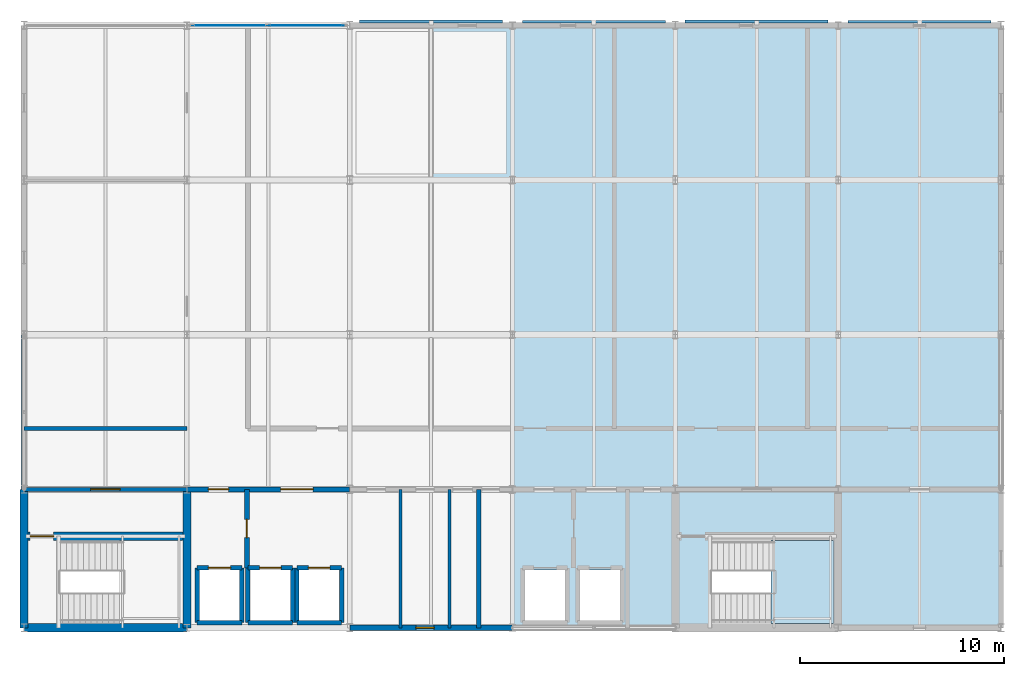
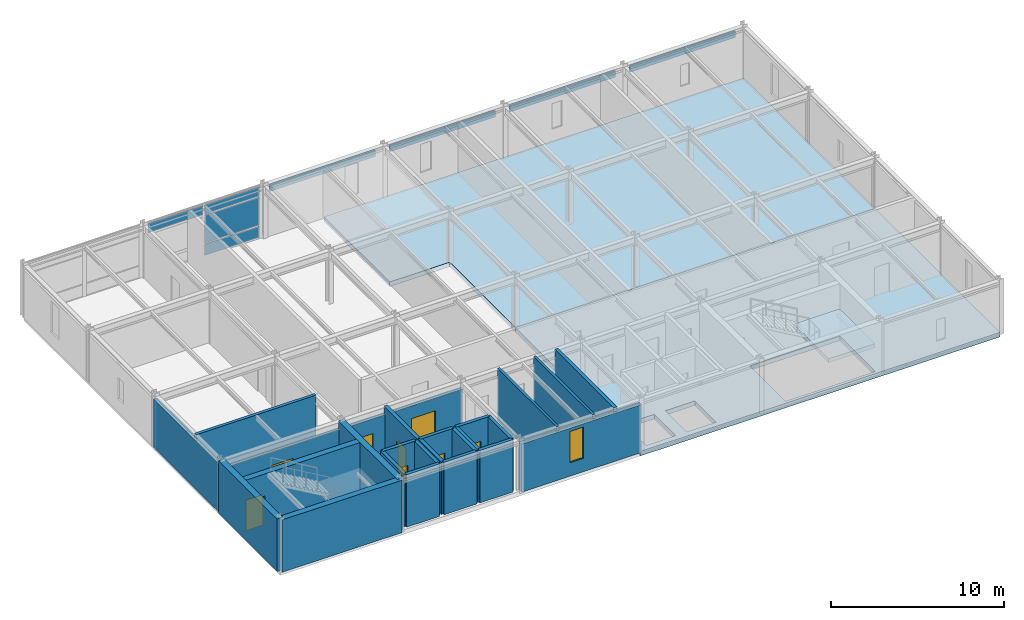
# One storey, part 6 of 9: 25 walls, 8 doors, 8 plates, 3 slabs, 1 window, 9 openings, 2 elements without a shape of their own.
"""IFC4 building model written with IfcOpenShell, lengths in metres."""

from ifc_helpers import new_model, si_unit, direction, frame, frame_2d, origin, origin_2d, place, context, subcontext, project, spatial, polyline, rectangle, outline, extrude, material, layer, layer_set, type_object, element, fill, aggregate, save


model = new_model("IFC4")

# Units and contexts
model_context = context("Model", 3, precision=1e-05, world=origin(), true_north=direction((0.0, 1.0)))
body_context = subcontext(model_context, "Body", "Model", "MODEL_VIEW")
ifc_project = project(units=[si_unit("LENGTHUNIT", "METRE"), si_unit("AREAUNIT", "SQUARE_METRE"), si_unit("VOLUMEUNIT", "CUBIC_METRE"), si_unit("PLANEANGLEUNIT", "RADIAN"), si_unit("MASSUNIT", "GRAM", prefix="KILO")], contexts=[model_context])

# Site, building, storey
site_placement = place(None, origin())
site = spatial("IfcSite", under=ifc_project, at=site_placement, CompositionType="ELEMENT")
building_placement = place(site_placement, origin())
building = spatial("IfcBuilding", under=site, at=building_placement, Name="Shalkamar Park Central Library", CompositionType="ELEMENT")
storey_placement = place(building_placement, frame((0.0, 0.0, 63.89990234375)))
storey = spatial("IfcBuildingStorey", under=building, at=storey_placement, Name="L16", CompositionType="ELEMENT", Elevation=63.89990234375)

# Plates
ifc_material_1 = material(Name="Anodized bronze architectural frieze plate", Category="aluminium")
ifc_layer_1 = layer(ifc_material_1, 0.110107421875)
ifc_layer_set_1 = layer_set([ifc_layer_1], Name="BronzeSpandrelFriezePlate_110")
plate_type_1 = type_object("IfcPlateType", Name="Bronze Spandrel Frieze Plate 110", PredefinedType="USERDEFINED", material=ifc_layer_set_1)
for number, where, z_axis, x_axis, name in (
    (1, (193.0, 278.179931640625, 2.93798828125), (0.0, 0.0, 1.0), (1.0, 0.0, 0.0), "Bronze Spandrel Frieze Plate L16-055"),
    (2, (209.0, 278.179931640625, 2.93798828125), (0.0, 0.0, 1.0), (1.0, 0.0, 0.0), "Bronze Spandrel Frieze Plate L16-057"),
):
    element("IfcPlate", number, at=place(storey_placement, frame(where, z_axis=z_axis, x_axis=x_axis)), inside=storey, type_object=plate_type_1, Name=name, ObjectType="CLADDING", PredefinedType="USERDEFINED", context=body_context, shape_type="SweptSolid", body=[
        extrude(rectangle(XDim=7.028076171875, YDim=0.110107421875, at=origin_2d()), origin(), (0.0, 0.0, 1.0), 0.449951171875),
    ])
ifc_material_2 = material(Name="Anodized bronze stepped frieze plate", Category="aluminium")
ifc_layer_2 = layer(ifc_material_2, 0.139892578125)
ifc_layer_set_2 = layer_set([ifc_layer_2], Name="PostmodernKeystoneFriezePlate_140")
plate_type_2 = type_object("IfcPlateType", Name="Postmodern Keystone Frieze Plate 140", PredefinedType="USERDEFINED", material=ifc_layer_set_2)
for number, where, z_axis, x_axis, name in (
    (3, (185.0, 278.195068359375, 2.93798828125), (0.0, 0.0, 1.0), (1.0, 0.0, 0.0), "Bronze Spandrel Frieze Plate L16-054"),
    (4, (201.0, 278.195068359375, 2.93798828125), (0.0, 0.0, 1.0), (1.0, 0.0, 0.0), "Bronze Spandrel Frieze Plate L16-056"),
):
    element("IfcPlate", number, at=place(storey_placement, frame(where, z_axis=z_axis, x_axis=x_axis)), inside=storey, type_object=plate_type_2, Name=name, ObjectType="CLADDING", PredefinedType="USERDEFINED", context=body_context, shape_type="SweptSolid", body=[
        extrude(rectangle(XDim=7.028076171875, YDim=0.139892578125, at=origin_2d()), origin(), (0.0, 0.0, 1.0), 0.449951171875),
    ])

# Curtain wall, plates
ifc_material_3 = material(Name="Thermally broken aluminium and triple low-e curtain wall", Category="aluminium")
ifc_layer_3 = layer(ifc_material_3, 0.280029296875)
ifc_layer_set_3 = layer_set([ifc_layer_3], Name="UnitisedCurtainWall_103")
curtain_wall_type = type_object("IfcCurtainWallType", Name="Unitised Curtain Wall 103", PredefinedType="USERDEFINED", material=ifc_layer_set_3)
curtain_wall_placement = place(storey_placement, origin())
curtain_wall = element("IfcCurtainWall", 5, at=curtain_wall_placement, inside=storey, type_object=curtain_wall_type, Name="Unitised Curtain Wall CW-L16-159", ObjectType="UNITISED CURTAIN WALL", PredefinedType="USERDEFINED")
ifc_material_4 = material(Name="Triple-glazed solar-control glass", Category="glass")
ifc_layer_4 = layer(ifc_material_4, 0.031982421875)
ifc_layer_set_4 = layer_set([ifc_layer_4], Name="SolarControlVisionPanel_32")
plate_type_3 = type_object("IfcPlateType", Name="Solar Control Vision Panel 32", PredefinedType="CURTAIN_PANEL", material=ifc_layer_set_4)
plate_1_placement = place(storey_placement, frame((175.109619140625, 278.0, 2.985107421875), z_axis=(0.0, 0.0, 1.0), x_axis=(1.0, 0.0, 0.0)))
plate_1 = element("IfcPlate", 6, at=plate_1_placement, type_object=plate_type_3, Name="CW-103 panel 1.3", PredefinedType="CURTAIN_PANEL", context=body_context, shape_type="SweptSolid", body=[
    extrude(rectangle(XDim=3.6708984375, YDim=0.031982421875, at=origin_2d()), origin(), (0.0, 0.0, 1.0), 0.64501953125),
])
plate_2_placement = place(storey_placement, frame((178.87060546875, 278.0, 0.070068359375), z_axis=(0.0, 0.0, 1.0), x_axis=(1.0, 0.0, 0.0)))
plate_2 = element("IfcPlate", 7, at=plate_2_placement, type_object=plate_type_3, Name="CW-103 panel 2.1", PredefinedType="CURTAIN_PANEL", context=body_context, shape_type="SweptSolid", body=[
    extrude(rectangle(XDim=3.6708984375, YDim=0.031982421875, at=origin_2d()), origin(), (0.0, 0.0, 1.0), 0.794921875),
])
plate_3_placement = place(storey_placement, frame((178.87060546875, 278.0, 0.93505859375), z_axis=(0.0, 0.0, 1.0), x_axis=(1.0, 0.0, 0.0)))
plate_3 = element("IfcPlate", 8, at=plate_3_placement, type_object=plate_type_3, Name="CW-103 panel 2.2", PredefinedType="CURTAIN_PANEL", context=body_context, shape_type="SweptSolid", body=[
    extrude(rectangle(XDim=3.6708984375, YDim=0.031982421875, at=origin_2d()), origin(), (0.0, 0.0, 1.0), 1.97998046875),
])
plate_4_placement = place(storey_placement, frame((178.87060546875, 278.0, 2.985107421875), z_axis=(0.0, 0.0, 1.0), x_axis=(1.0, 0.0, 0.0)))
plate_4 = element("IfcPlate", 9, at=plate_4_placement, type_object=plate_type_3, Name="CW-103 panel 2.3", PredefinedType="CURTAIN_PANEL", context=body_context, shape_type="SweptSolid", body=[
    extrude(rectangle(XDim=3.6708984375, YDim=0.031982421875, at=origin_2d()), origin(), (0.0, 0.0, 1.0), 0.64501953125),
])
aggregate(curtain_wall, [plate_1, plate_2, plate_3, plate_4])

# Stair, slab
ifc_material_5 = material(Name="Concrete C35/45", Category="concrete")
stair_type = type_object("IfcStairType", Name="Protected Dog Leg Stair 150x390", PredefinedType="TWO_STRAIGHT_RUN_STAIR", material=ifc_material_5)
stair_placement = place(storey_placement, origin())
stair = element("IfcStair", 10, at=stair_placement, inside=storey, type_object=stair_type, Name="Protected Core Stair ST-T2-L16", PredefinedType="TWO_STRAIGHT_RUN_STAIR")
ifc_layer_5 = layer(ifc_material_5, 0.280029296875)
ifc_layer_set_5 = layer_set([ifc_layer_5], Name="Concrete C35/45")
slab_type_1 = type_object("IfcSlabType", Name="Stair Landing Slab 160", PredefinedType="LANDING", material=ifc_layer_set_5)
slab_1_placement = place(storey_placement, frame((0.0, 0.0, 1.670166015625)))
slab_1 = element("IfcSlab", 11, at=slab_1_placement, type_object=slab_type_1, Name="ST-T2-L16 landing 1", PredefinedType="LANDING", context=body_context, shape_type="SweptSolid", body=[
    extrude(outline(polyline([(201.699951171875, 248.6201171875), (204.780029296875, 248.6201171875), (204.780029296875, 252.679931640625), (201.699951171875, 252.679931640625), (201.699951171875, 248.6201171875)])), origin(), (0.0, 0.0, 1.0), 0.280029296875),
])
aggregate(stair, [slab_1])

# Slabs
ifc_layer_6 = layer(ifc_material_5, 0.320068359375)
ifc_layer_set_6 = layer_set([ifc_layer_6], Name="Concrete C35/45")
slab_type_2 = type_object("IfcSlabType", Name="Suspended Floor Slab 320", PredefinedType="FLOOR", material=ifc_layer_set_6)
slab_2_placement = place(storey_placement, frame((0.0, 0.0, -0.31982421875)))
element("IfcSlab", 12, at=slab_2_placement, inside=storey, type_object=slab_type_2, Name="Level L16 Composite Floor Slab NE", PredefinedType="FLOOR", context=body_context, shape_type="SweptSolid", body=[
    extrude(outline(polyline([(189.010009765625, 262.800048828125), (213.0, 262.800048828125), (213.0, 278.0), (185.010009765625, 278.0), (185.010009765625, 270.409912109375), (189.010009765625, 270.409912109375), (189.010009765625, 262.800048828125)])), origin(), (0.0, 0.0, 1.0), 0.31982421875),
])
slab_3_placement = place(storey_placement, frame((0.0, 0.0, -0.31982421875)))
element("IfcSlab", 13, at=slab_3_placement, inside=storey, type_object=slab_type_2, Name="Level L16 Composite Floor Slab SE", PredefinedType="FLOOR", context=body_context, shape_type="SweptSolid", body=[
    extrude(outline(polyline([(189.0, 248.39990234375), (189.0, 262.800048828125), (213.0, 262.800048828125), (213.0, 248.39990234375), (189.0, 248.39990234375)]), holes=[polyline([(189.6201171875, 251.22998046875), (189.6201171875, 248.77001953125), (191.580078125, 248.77001953125), (191.580078125, 251.22998046875), (189.6201171875, 251.22998046875)]), polyline([(192.320068359375, 251.22998046875), (192.320068359375, 248.77001953125), (194.280029296875, 248.77001953125), (194.280029296875, 251.22998046875), (192.320068359375, 251.22998046875)]), polyline([(198.800048828125, 252.699951171875), (198.800048828125, 248.60009765625), (204.800048828125, 248.60009765625), (204.800048828125, 252.699951171875), (198.800048828125, 252.699951171875)])]), origin(), (0.0, 0.0, 1.0), 0.31982421875),
])

# Wall, opening, window
ifc_material_6 = material(Name="Terracotta insulated masonry", Category="masonry")
ifc_layer_7 = layer(ifc_material_6, 0.260009765625)
ifc_layer_set_7 = layer_set([ifc_layer_7], Name="ArchiveInsulatedFacadeWall_260")
wall_type_1 = type_object("IfcWallType", Name="Archive Insulated Facade Wall 260", PredefinedType="SOLIDWALL", material=ifc_layer_set_7)
wall_1_placement = place(storey_placement, frame((181.006103515625, 248.39990234375, 0.0), z_axis=(0.0, 0.0, 1.0), x_axis=(1.0, 0.0, 0.0)))
wall_1 = element("IfcWall", 14, at=wall_1_placement, inside=storey, type_object=wall_type_1, Name="Exterior Facade Wall WL-EXT-L16-272", PredefinedType="SOLIDWALL", context=body_context, shape_type="SweptSolid", body=[
    extrude(rectangle(XDim=7.98779296875, YDim=0.260009765625, at=frame_2d((3.993896484375, 0.0))), origin(), (0.0, 0.0, 1.0), 3.38818359375),
])
opening_1_placement = place(wall_1_placement, frame((3.243896484375, 0.0, 0.949951171875)))
opening_1 = element("IfcOpeningElement", 15, at=opening_1_placement, cuts=wall_1, Name="Opening WN-17", PredefinedType="OPENING", context=body_context, shape_type="SweptSolid", body=[
    extrude(rectangle(XDim=0.89990234375, YDim=2.199951171875, at=frame_2d((0.449951171875, 1.10009765625))), frame((0.0, 0.14501953125, 0.0), z_axis=(0.0, -1.0, 0.0), x_axis=(1.0, 0.0, 0.0)), (0.0, 0.0, 1.0), 0.289794921875),
])
ifc_material_7 = material(Name="Thermally broken aluminium and triple low-e glass", Category="glass")
window_type = type_object("IfcWindowType", Name="Archive Slit Window 900x2200", PartitioningType="SINGLE_PANEL", PredefinedType="WINDOW", material=ifc_material_7)
window_placement = place(opening_1_placement, origin())
window = element("IfcWindow", 16, at=window_placement, inside=storey, type_object=window_type, Name="Facade Window WN-L16-200", OverallHeight=2.199951171875, OverallWidth=0.89990234375, PartitioningType="SINGLE_PANEL", PredefinedType="WINDOW", context=body_context, shape_type="SweptSolid", body=[
    extrude(rectangle(XDim=0.89990234375, YDim=2.199951171875, at=frame_2d((0.449951171875, 1.10009765625))), frame((0.0, 0.030029296875, 0.0), z_axis=(0.0, -1.0, 0.0), x_axis=(1.0, 0.0, 0.0)), (0.0, 0.0, 1.0), 0.06005859375),
])
fill(opening_1, window)

# Wall
wall_2_placement = place(storey_placement, frame((165.0, 255.2060546875, 0.0), z_axis=(0.0, 0.0, 1.0), x_axis=(0.0, 1.0, 0.0)))
element("IfcWall", 17, at=wall_2_placement, inside=storey, type_object=wall_type_1, Name="Exterior Facade Wall WL-EXT-L16-279", PredefinedType="SOLIDWALL", context=body_context, shape_type="SweptSolid", body=[
    extrude(rectangle(XDim=7.587890625, YDim=0.260009765625, at=frame_2d((3.7939453125, 0.0))), origin(), (0.0, 0.0, 1.0), 3.427978515625),
])

# Wall, opening, door
ifc_material_8 = material(Name="Reinforced fire-compartment masonry wall", Category="masonry")
ifc_layer_8 = layer(ifc_material_8, 0.239990234375)
ifc_layer_set_8 = layer_set([ifc_layer_8], Name="CompartmentWall_240")
wall_type_2 = type_object("IfcWallType", Name="Compartment Wall 240", PredefinedType="PARTITIONING", material=ifc_layer_set_8)
wall_3_placement = place(storey_placement, frame((175.949951171875, 251.35009765625, 0.0), z_axis=(0.0, 0.0, 1.0), x_axis=(0.0, 1.0, 0.0)))
wall_3 = element("IfcWall", 18, at=wall_3_placement, inside=storey, type_object=wall_type_2, Name="Interior Partition WL-INT-L16-001", PredefinedType="PARTITIONING", context=body_context, shape_type="SweptSolid", body=[
    extrude(rectangle(XDim=3.849853515625, YDim=0.239990234375, at=frame_2d((1.9248046875, 0.0))), origin(), (0.0, 0.0, 1.0), 3.7001953125),
])
opening_2_placement = place(wall_3_placement, frame((1.47509765625, 0.0, 0.0)))
opening_2 = element("IfcOpeningElement", 19, at=opening_2_placement, cuts=wall_3, Name="Opening DR-L16-001", PredefinedType="OPENING", context=body_context, shape_type="SweptSolid", body=[
    extrude(rectangle(XDim=0.89990234375, YDim=2.10009765625, at=frame_2d((0.449951171875, 1.050048828125))), frame((0.0, 0.134765625, 0.0), z_axis=(0.0, -1.0, 0.0), x_axis=(1.0, 0.0, 0.0)), (0.0, 0.0, 1.0), 0.269775390625),
])
ifc_material_9 = material(Name="Steel S355", Category="steel")
door_type_1 = type_object("IfcDoorType", Name="Fire Door Single 900x2100", OperationType="NOTDEFINED", PredefinedType="DOOR", material=ifc_material_9)
door_1_placement = place(opening_2_placement, origin())
door_1 = element("IfcDoor", 20, at=door_1_placement, inside=storey, type_object=door_type_1, Name="Fire Lobby Interconnect Door", OperationType="SINGLE_SWING_LEFT", OverallHeight=2.10009765625, OverallWidth=0.89990234375, PredefinedType="DOOR", context=body_context, shape_type="SweptSolid", body=[
    extrude(rectangle(XDim=0.89990234375, YDim=2.10009765625, at=frame_2d((0.449951171875, 1.050048828125))), frame((0.0, 0.02490234375, 0.0), z_axis=(0.0, -1.0, 0.0), x_axis=(1.0, 0.0, 0.0)), (0.0, 0.0, 1.0), 0.050048828125),
])
fill(opening_2, door_1)

# Wall, openings, doors
wall_4_placement = place(storey_placement, frame((173.0, 255.199951171875, 0.0), z_axis=(0.0, 0.0, 1.0), x_axis=(1.0, 0.0, 0.0)))
wall_4 = element("IfcWall", 21, at=wall_4_placement, inside=storey, type_object=wall_type_2, Name="Interior Partition WL-INT-L16-007", PredefinedType="PARTITIONING", context=body_context, shape_type="SweptSolid", body=[
    extrude(rectangle(XDim=8.0, YDim=0.239990234375, at=frame_2d((4.0, 0.0))), origin(), (0.0, 0.0, 1.0), 3.148193359375),
])
opening_3_placement = place(wall_4_placement, frame((1.050048828125, 0.0, 0.0)))
opening_3 = element("IfcOpeningElement", 22, at=opening_3_placement, cuts=wall_4, Name="Opening DR-L16-003", PredefinedType="OPENING", context=body_context, shape_type="SweptSolid", body=[
    extrude(rectangle(XDim=1.0, YDim=2.10009765625, at=frame_2d((0.5, 1.050048828125))), frame((0.0, 0.134765625, 0.0), z_axis=(0.0, -1.0, 0.0), x_axis=(1.0, 0.0, 0.0)), (0.0, 0.0, 1.0), 0.269775390625),
])
opening_4_placement = place(wall_4_placement, frame((4.60009765625, 0.0, 0.0)))
opening_4 = element("IfcOpeningElement", 23, at=opening_4_placement, cuts=wall_4, Name="Opening DR-L16-004", PredefinedType="OPENING", context=body_context, shape_type="SweptSolid", body=[
    extrude(rectangle(XDim=1.60009765625, YDim=2.25, at=frame_2d((0.800048828125, 1.125))), frame((0.0, 0.134765625, 0.0), z_axis=(0.0, -1.0, 0.0), x_axis=(1.0, 0.0, 0.0)), (0.0, 0.0, 1.0), 0.269775390625),
])
door_type_2 = type_object("IfcDoorType", Name="Fire Door Single 1000x2100", OperationType="NOTDEFINED", PredefinedType="DOOR", material=ifc_material_9)
door_2_placement = place(opening_3_placement, origin())
door_2 = element("IfcDoor", 24, at=door_2_placement, inside=storey, type_object=door_type_2, Name="West Firefighting Lobby Door", OperationType="SINGLE_SWING_LEFT", OverallHeight=2.10009765625, OverallWidth=1.0, PredefinedType="DOOR", context=body_context, shape_type="SweptSolid", body=[
    extrude(rectangle(XDim=1.0, YDim=2.10009765625, at=frame_2d((0.5, 1.050048828125))), frame((0.0, 0.02490234375, 0.0), z_axis=(0.0, -1.0, 0.0), x_axis=(1.0, 0.0, 0.0)), (0.0, 0.0, 1.0), 0.050048828125),
])
fill(opening_3, door_2)
door_type_3 = type_object("IfcDoorType", Name="Interior Door Double 1600x2250", OperationType="DOUBLE_DOOR_SINGLE_SWING", PredefinedType="DOOR", material=ifc_material_9)
door_3_placement = place(opening_4_placement, frame((1.60009765625, 0.0, 0.0), z_axis=(0.0, 0.0, 1.0), x_axis=(-1.0, 0.0, 0.0)))
door_3 = element("IfcDoor", 25, at=door_3_placement, inside=storey, type_object=door_type_3, Name="West Lift Lobby Entrance", OperationType="DOUBLE_DOOR_SINGLE_SWING", OverallHeight=2.25, OverallWidth=1.60009765625, PredefinedType="DOOR", context=body_context, shape_type="SweptSolid", body=[
    extrude(rectangle(XDim=1.60009765625, YDim=2.25, at=frame_2d((0.800048828125, 1.125))), frame((0.0, 0.02490234375, 0.0), z_axis=(0.0, -1.0, 0.0), x_axis=(1.0, 0.0, 0.0)), (0.0, 0.0, 1.0), 0.050048828125),
])
fill(opening_4, door_3)

# Wall, opening, door
ifc_material_10 = material(Name="Fire-rated corridor partition wall", Category="masonry")
ifc_layer_9 = layer(ifc_material_10, 0.199951171875)
ifc_layer_set_9 = layer_set([ifc_layer_9], Name="CorridorFireWall_200")
wall_type_3 = type_object("IfcWallType", Name="Corridor Fire Wall 200", PredefinedType="PARTITIONING", material=ifc_layer_set_9)
wall_5_placement = place(storey_placement, frame((165.0, 255.199951171875, 0.0), z_axis=(0.0, 0.0, 1.0), x_axis=(1.0, 0.0, 0.0)))
wall_5 = element("IfcWall", 26, at=wall_5_placement, inside=storey, type_object=wall_type_3, Name="CORE-T1 Vestibule North Wall (L16)", PredefinedType="PARTITIONING", context=body_context, shape_type="SweptSolid", body=[
    extrude(rectangle(XDim=8.0, YDim=0.199951171875, at=frame_2d((4.0, 0.0))), origin(), (0.0, 0.0, 1.0), 3.148193359375),
])
opening_5_placement = place(wall_5_placement, frame((3.27490234375, 0.0, 0.0)))
opening_5 = element("IfcOpeningElement", 27, at=opening_5_placement, cuts=wall_5, Name="Opening DR-ST-T1-L16-VEST", PredefinedType="OPENING", context=body_context, shape_type="SweptSolid", body=[
    extrude(rectangle(XDim=1.449951171875, YDim=2.199951171875, at=frame_2d((0.72509765625, 1.10009765625))), frame((0.0, 0.11474609375, 0.0), z_axis=(0.0, -1.0, 0.0), x_axis=(1.0, 0.0, 0.0)), (0.0, 0.0, 1.0), 0.229736328125),
])
door_type_4 = type_object("IfcDoorType", Name="Stair Vestibule Door 1450x2200", OperationType="DOUBLE_DOOR_SINGLE_SWING", PredefinedType="DOOR", material=ifc_material_9)
door_4_placement = place(opening_5_placement, frame((1.449951171875, 0.0, 0.0), z_axis=(0.0, 0.0, 1.0), x_axis=(-1.0, 0.0, 0.0)))
door_4 = element("IfcDoor", 28, at=door_4_placement, inside=storey, type_object=door_type_4, Name="Protected Stair ST-T1 Vestibule Door (L16)", OperationType="DOUBLE_DOOR_SINGLE_SWING", OverallHeight=2.199951171875, OverallWidth=1.449951171875, PredefinedType="DOOR", context=body_context, shape_type="SweptSolid", body=[
    extrude(rectangle(XDim=1.449951171875, YDim=2.199951171875, at=frame_2d((0.72509765625, 1.10009765625))), frame((0.0, 0.02490234375, 0.0), z_axis=(0.0, -1.0, 0.0), x_axis=(1.0, 0.0, 0.0)), (0.0, 0.0, 1.0), 0.050048828125),
])
fill(opening_5, door_4)

# Walls
wall_6_placement = place(storey_placement, frame((165.0, 258.199951171875, 0.0), z_axis=(0.0, 0.0, 1.0), x_axis=(1.0, 0.0, 0.0)))
element("IfcWall", 29, at=wall_6_placement, inside=storey, type_object=wall_type_3, Name="Interior Partition WL-INT-L16-011", PredefinedType="PARTITIONING", context=body_context, shape_type="SweptSolid", body=[
    extrude(rectangle(XDim=8.0, YDim=0.199951171875, at=frame_2d((4.0, 0.0))), origin(), (0.0, 0.0, 1.0), 3.7001953125),
])
ifc_material_11 = material(Name="Concrete C40/50", Category="concrete")
ifc_layer_10 = layer(ifc_material_11, 0.219970703125)
ifc_layer_set_10 = layer_set([ifc_layer_10], Name="Concrete C40/50")
wall_type_4 = type_object("IfcWallType", Name="Lift Hoistway Shear Wall 220", PredefinedType="SHEAR", material=ifc_layer_set_10)
wall_7_placement = place(storey_placement, frame((173.5, 248.64990234375, 0.0), z_axis=(0.0, 0.0, 1.0), x_axis=(1.0, 0.0, 0.0)))
element("IfcWall", 30, at=wall_7_placement, inside=storey, type_object=wall_type_4, Name="Lift FFL-01 Hoistway South Wall (L16)", PredefinedType="SHEAR", context=body_context, shape_type="SweptSolid", body=[
    extrude(rectangle(XDim=2.199951171875, YDim=0.219970703125, at=frame_2d((1.10009765625, 0.0))), origin(), (0.0, 0.0, 1.0), 3.7001953125),
])
for number, where, z_axis, x_axis, name in (
    (31, (173.5, 248.64990234375, 0.0), (0.0, 0.0, 1.0), (0.0, 1.0, 0.0), "Lift FFL-01 Hoistway West Wall (L16)"),
    (32, (175.699951171875, 248.64990234375, 0.0), (0.0, 0.0, 1.0), (0.0, 1.0, 0.0), "Lift FFL-01 Hoistway East Wall (L16)"),
):
    element("IfcWall", number, at=place(storey_placement, frame(where, z_axis=z_axis, x_axis=x_axis)), inside=storey, type_object=wall_type_4, Name=name, PredefinedType="SHEAR", context=body_context, shape_type="SweptSolid", body=[
        extrude(rectangle(XDim=2.7001953125, YDim=0.219970703125, at=frame_2d((1.35009765625, 0.0))), origin(), (0.0, 0.0, 1.0), 3.7001953125),
    ])

# Wall, opening, door
wall_8_placement = place(storey_placement, frame((173.5, 251.35009765625, 0.0), z_axis=(0.0, 0.0, 1.0), x_axis=(1.0, 0.0, 0.0)))
wall_8 = element("IfcWall", 33, at=wall_8_placement, inside=storey, type_object=wall_type_4, Name="Lift FFL-01 Hoistway Front Wall (L16)", PredefinedType="SHEAR", context=body_context, shape_type="SweptSolid", body=[
    extrude(rectangle(XDim=2.199951171875, YDim=0.219970703125, at=frame_2d((1.10009765625, 0.0))), origin(), (0.0, 0.0, 1.0), 3.7001953125),
])
opening_6_placement = place(wall_8_placement, frame((0.550048828125, 0.0, 0.0)))
opening_6 = element("IfcOpeningElement", 34, at=opening_6_placement, cuts=wall_8, Name="Opening LD-FFL-01-L16", PredefinedType="OPENING", context=body_context, shape_type="SweptSolid", body=[
    extrude(rectangle(XDim=1.10009765625, YDim=2.14990234375, at=frame_2d((0.550048828125, 1.074951171875))), frame((0.0, 0.125, 0.0), z_axis=(0.0, -1.0, 0.0), x_axis=(1.0, 0.0, 0.0)), (0.0, 0.0, 1.0), 0.249755859375),
])
door_type_5 = type_object("IfcDoorType", Name="Fire Lift Landing Door 1100x2150", OperationType="DOUBLE_DOOR_SLIDING", PredefinedType="USERDEFINED", material=ifc_material_9)
door_5_placement = place(opening_6_placement, origin())
door_5 = element("IfcDoor", 35, at=door_5_placement, inside=storey, type_object=door_type_5, Name="Lift FFL-01 Sliding Landing Door (L16)", ObjectType="SLIDING LANDING DOOR", OperationType="DOUBLE_DOOR_SLIDING", OverallHeight=2.14990234375, OverallWidth=1.10009765625, PredefinedType="USERDEFINED", context=body_context, shape_type="SweptSolid", body=[
    extrude(rectangle(XDim=1.10009765625, YDim=2.14990234375, at=frame_2d((0.550048828125, 1.074951171875))), frame((0.0, 0.02490234375, 0.0), z_axis=(0.0, -1.0, 0.0), x_axis=(1.0, 0.0, 0.0)), (0.0, 0.0, 1.0), 0.050048828125),
])
fill(opening_6, door_5)

# Walls
wall_9_placement = place(storey_placement, frame((176.0, 248.64990234375, 0.0), z_axis=(0.0, 0.0, 1.0), x_axis=(1.0, 0.0, 0.0)))
element("IfcWall", 36, at=wall_9_placement, inside=storey, type_object=wall_type_4, Name="Lift LT-01 Hoistway South Wall (L16)", PredefinedType="SHEAR", context=body_context, shape_type="SweptSolid", body=[
    extrude(rectangle(XDim=2.199951171875, YDim=0.219970703125, at=frame_2d((1.10009765625, 0.0))), origin(), (0.0, 0.0, 1.0), 3.7001953125),
])
for number, where, z_axis, x_axis, name in (
    (37, (176.0, 248.64990234375, 0.0), (0.0, 0.0, 1.0), (0.0, 1.0, 0.0), "Lift LT-01 Hoistway West Wall (L16)"),
    (38, (178.199951171875, 248.64990234375, 0.0), (0.0, 0.0, 1.0), (0.0, 1.0, 0.0), "Lift LT-01 Hoistway East Wall (L16)"),
):
    element("IfcWall", number, at=place(storey_placement, frame(where, z_axis=z_axis, x_axis=x_axis)), inside=storey, type_object=wall_type_4, Name=name, PredefinedType="SHEAR", context=body_context, shape_type="SweptSolid", body=[
        extrude(rectangle(XDim=2.7001953125, YDim=0.219970703125, at=frame_2d((1.35009765625, 0.0))), origin(), (0.0, 0.0, 1.0), 3.7001953125),
    ])

# Wall, opening, door
wall_10_placement = place(storey_placement, frame((176.0, 251.35009765625, 0.0), z_axis=(0.0, 0.0, 1.0), x_axis=(1.0, 0.0, 0.0)))
wall_10 = element("IfcWall", 39, at=wall_10_placement, inside=storey, type_object=wall_type_4, Name="Lift LT-01 Hoistway Front Wall (L16)", PredefinedType="SHEAR", context=body_context, shape_type="SweptSolid", body=[
    extrude(rectangle(XDim=2.199951171875, YDim=0.219970703125, at=frame_2d((1.10009765625, 0.0))), origin(), (0.0, 0.0, 1.0), 3.7001953125),
])
opening_7_placement = place(wall_10_placement, frame((0.574951171875, 0.0, 0.0)))
opening_7 = element("IfcOpeningElement", 40, at=opening_7_placement, cuts=wall_10, Name="Opening LD-LT-01-L16", PredefinedType="OPENING", context=body_context, shape_type="SweptSolid", body=[
    extrude(rectangle(XDim=1.050048828125, YDim=2.14990234375, at=frame_2d((0.52490234375, 1.074951171875))), frame((0.0, 0.125, 0.0), z_axis=(0.0, -1.0, 0.0), x_axis=(1.0, 0.0, 0.0)), (0.0, 0.0, 1.0), 0.249755859375),
])
door_type_6 = type_object("IfcDoorType", Name="Passenger Lift Landing Door 1050x2150", OperationType="DOUBLE_DOOR_SLIDING", PredefinedType="USERDEFINED", material=ifc_material_9)
door_6_placement = place(opening_7_placement, origin())
door_6 = element("IfcDoor", 41, at=door_6_placement, inside=storey, type_object=door_type_6, Name="Lift LT-01 Sliding Landing Door (L16)", ObjectType="SLIDING LANDING DOOR", OperationType="DOUBLE_DOOR_SLIDING", OverallHeight=2.14990234375, OverallWidth=1.050048828125, PredefinedType="USERDEFINED", context=body_context, shape_type="SweptSolid", body=[
    extrude(rectangle(XDim=1.050048828125, YDim=2.14990234375, at=frame_2d((0.52490234375, 1.074951171875))), frame((0.0, 0.02490234375, 0.0), z_axis=(0.0, -1.0, 0.0), x_axis=(1.0, 0.0, 0.0)), (0.0, 0.0, 1.0), 0.050048828125),
])
fill(opening_7, door_6)

# Walls
wall_11_placement = place(storey_placement, frame((178.39990234375, 248.64990234375, 0.0), z_axis=(0.0, 0.0, 1.0), x_axis=(1.0, 0.0, 0.0)))
element("IfcWall", 42, at=wall_11_placement, inside=storey, type_object=wall_type_4, Name="Lift LT-02 Hoistway South Wall (L16)", PredefinedType="SHEAR", context=body_context, shape_type="SweptSolid", body=[
    extrude(rectangle(XDim=2.2001953125, YDim=0.219970703125, at=frame_2d((1.10009765625, 0.0))), origin(), (0.0, 0.0, 1.0), 3.7001953125),
])
for number, where, z_axis, x_axis, name in (
    (43, (178.39990234375, 248.64990234375, 0.0), (0.0, 0.0, 1.0), (0.0, 1.0, 0.0), "Lift LT-02 Hoistway West Wall (L16)"),
    (44, (180.60009765625, 248.64990234375, 0.0), (0.0, 0.0, 1.0), (0.0, 1.0, 0.0), "Lift LT-02 Hoistway East Wall (L16)"),
):
    element("IfcWall", number, at=place(storey_placement, frame(where, z_axis=z_axis, x_axis=x_axis)), inside=storey, type_object=wall_type_4, Name=name, PredefinedType="SHEAR", context=body_context, shape_type="SweptSolid", body=[
        extrude(rectangle(XDim=2.7001953125, YDim=0.219970703125, at=frame_2d((1.35009765625, 0.0))), origin(), (0.0, 0.0, 1.0), 3.7001953125),
    ])

# Wall, opening, door
wall_12_placement = place(storey_placement, frame((178.39990234375, 251.35009765625, 0.0), z_axis=(0.0, 0.0, 1.0), x_axis=(1.0, 0.0, 0.0)))
wall_12 = element("IfcWall", 45, at=wall_12_placement, inside=storey, type_object=wall_type_4, Name="Lift LT-02 Hoistway Front Wall (L16)", PredefinedType="SHEAR", context=body_context, shape_type="SweptSolid", body=[
    extrude(rectangle(XDim=2.2001953125, YDim=0.219970703125, at=frame_2d((1.10009765625, 0.0))), origin(), (0.0, 0.0, 1.0), 3.7001953125),
])
opening_8_placement = place(wall_12_placement, frame((0.574951171875, 0.0, 0.0)))
opening_8 = element("IfcOpeningElement", 46, at=opening_8_placement, cuts=wall_12, Name="Opening LD-LT-02-L16", PredefinedType="OPENING", context=body_context, shape_type="SweptSolid", body=[
    extrude(rectangle(XDim=1.050048828125, YDim=2.14990234375, at=frame_2d((0.52490234375, 1.074951171875))), frame((0.0, 0.125, 0.0), z_axis=(0.0, -1.0, 0.0), x_axis=(1.0, 0.0, 0.0)), (0.0, 0.0, 1.0), 0.249755859375),
])
door_7_placement = place(opening_8_placement, origin())
door_7 = element("IfcDoor", 47, at=door_7_placement, inside=storey, type_object=door_type_6, Name="Lift LT-02 Sliding Landing Door (L16)", ObjectType="SLIDING LANDING DOOR", OperationType="DOUBLE_DOOR_SLIDING", OverallHeight=2.14990234375, OverallWidth=1.050048828125, PredefinedType="USERDEFINED", context=body_context, shape_type="SweptSolid", body=[
    extrude(rectangle(XDim=1.050048828125, YDim=2.14990234375, at=frame_2d((0.52490234375, 1.074951171875))), frame((0.0, 0.02490234375, 0.0), z_axis=(0.0, -1.0, 0.0), x_axis=(1.0, 0.0, 0.0)), (0.0, 0.0, 1.0), 0.050048828125),
])
fill(opening_8, door_7)

# Walls
ifc_material_12 = material(Name="Moisture-resistant sanitary partition", Category="masonry")
ifc_layer_11 = layer(ifc_material_12, 0.159912109375)
ifc_layer_set_11 = layer_set([ifc_layer_11], Name="PlumbingChaseWall_160")
wall_type_5 = type_object("IfcWallType", Name="Plumbing Chase Wall 160", PredefinedType="PARTITIONING", material=ifc_layer_set_11)
for number, where, z_axis, x_axis, name in (
    (48, (183.5, 248.39990234375, 0.0), (0.0, 0.0, 1.0), (0.0, 1.0, 0.0), "Interior Partition WL-INT-L16-004"),
    (49, (185.89990234375, 248.39990234375, 0.0), (0.0, 0.0, 1.0), (0.0, 1.0, 0.0), "Interior Partition WL-INT-L16-005"),
):
    element("IfcWall", number, at=place(storey_placement, frame(where, z_axis=z_axis, x_axis=x_axis)), inside=storey, type_object=wall_type_5, Name=name, PredefinedType="PARTITIONING", context=body_context, shape_type="SweptSolid", body=[
        extrude(rectangle(XDim=6.800048828125, YDim=0.159912109375, at=frame_2d((3.39990234375, 0.0))), origin(), (0.0, 0.0, 1.0), 3.7001953125),
    ])
ifc_material_13 = material(Name="Fire-rated shaft enclosure wall", Category="masonry")
ifc_layer_12 = layer(ifc_material_13, 0.219970703125)
ifc_layer_set_12 = layer_set([ifc_layer_12], Name="ShaftWall_220")
wall_type_6 = type_object("IfcWallType", Name="Shaft Wall 220", PredefinedType="PARTITIONING", material=ifc_layer_set_12)
wall_13_placement = place(storey_placement, frame((187.35009765625, 248.39990234375, 0.0), z_axis=(0.0, 0.0, 1.0), x_axis=(0.0, 1.0, 0.0)))
element("IfcWall", 50, at=wall_13_placement, inside=storey, type_object=wall_type_6, Name="Interior Partition WL-INT-L16-006", PredefinedType="PARTITIONING", context=body_context, shape_type="SweptSolid", body=[
    extrude(rectangle(XDim=6.800048828125, YDim=0.219970703125, at=frame_2d((3.39990234375, 0.0))), origin(), (0.0, 0.0, 1.0), 3.7001953125),
])
ifc_layer_13 = layer(ifc_material_11, 0.39990234375)
ifc_layer_set_13 = layer_set([ifc_layer_13], Name="Concrete C40/50")
wall_type_7 = type_object("IfcWallType", Name="Tower Core Shear Wall 400", PredefinedType="SHEAR", material=ifc_layer_set_13)
wall_14_placement = place(storey_placement, frame((165.0, 248.39990234375, 0.0), z_axis=(0.0, 0.0, 1.0), x_axis=(1.0, 0.0, 0.0)))
element("IfcWall", 51, at=wall_14_placement, inside=storey, type_object=wall_type_7, Name="CORE-T1 South Shear Wall (L16)", PredefinedType="SHEAR", context=body_context, shape_type="SweptSolid", body=[
    extrude(rectangle(XDim=8.0, YDim=0.39990234375, at=frame_2d((4.0, 0.0))), origin(), (0.0, 0.0, 1.0), 3.7001953125),
])
for number, where, z_axis, x_axis, name in (
    (52, (165.0, 248.39990234375, 0.0), (0.0, 0.0, 1.0), (0.0, 1.0, 0.0), "CORE-T1 West Shear Wall (L16)"),
    (53, (173.0, 248.39990234375, 0.0), (0.0, 0.0, 1.0), (0.0, 1.0, 0.0), "CORE-T1 East Shear Wall (L16)"),
):
    element("IfcWall", number, at=place(storey_placement, frame(where, z_axis=z_axis, x_axis=x_axis)), inside=storey, type_object=wall_type_7, Name=name, PredefinedType="SHEAR", context=body_context, shape_type="SweptSolid", body=[
        extrude(rectangle(XDim=6.800048828125, YDim=0.39990234375, at=frame_2d((3.39990234375, 0.0))), origin(), (0.0, 0.0, 1.0), 3.7001953125),
    ])

# Wall, opening, door
wall_15_placement = place(storey_placement, frame((165.0, 252.89990234375, 0.0), z_axis=(0.0, 0.0, 1.0), x_axis=(1.0, 0.0, 0.0)))
wall_15 = element("IfcWall", 54, at=wall_15_placement, inside=storey, type_object=wall_type_7, Name="CORE-T1 Stairwell Wall (L16)", PredefinedType="SHEAR", context=body_context, shape_type="SweptSolid", body=[
    extrude(rectangle(XDim=8.0, YDim=0.39990234375, at=frame_2d((4.0, 0.0))), origin(), (0.0, 0.0, 1.0), 3.7001953125),
])
opening_9_placement = place(wall_15_placement, frame((0.300048828125, 0.0, 0.0)))
opening_9 = element("IfcOpeningElement", 55, at=opening_9_placement, cuts=wall_15, Name="Opening DR-ST-T1-L16-IN", PredefinedType="OPENING", context=body_context, shape_type="SweptSolid", body=[
    extrude(rectangle(XDim=1.14990234375, YDim=2.14990234375, at=frame_2d((0.574951171875, 1.074951171875))), frame((0.0, 0.21484375, 0.0), z_axis=(0.0, -1.0, 0.0), x_axis=(1.0, 0.0, 0.0)), (0.0, 0.0, 1.0), 0.4296875),
])
door_type_7 = type_object("IfcDoorType", Name="Stair Core Exit Door 1150x2150", OperationType="NOTDEFINED", PredefinedType="DOOR", material=ifc_material_9)
door_8_placement = place(opening_9_placement, frame((1.14990234375, 0.0, 0.0), z_axis=(0.0, 0.0, 1.0), x_axis=(-1.0, 0.0, 0.0)))
door_8 = element("IfcDoor", 56, at=door_8_placement, inside=storey, type_object=door_type_7, Name="Protected Stair ST-T1 Exit Door (L16)", OperationType="SINGLE_SWING_RIGHT", OverallHeight=2.14990234375, OverallWidth=1.14990234375, PredefinedType="DOOR", context=body_context, shape_type="SweptSolid", body=[
    extrude(rectangle(XDim=1.14990234375, YDim=2.14990234375, at=frame_2d((0.574951171875, 1.074951171875))), frame((0.0, 0.02490234375, 0.0), z_axis=(0.0, -1.0, 0.0), x_axis=(1.0, 0.0, 0.0)), (0.0, 0.0, 1.0), 0.050048828125),
])
fill(opening_9, door_8)

save(model, "model.ifc")
